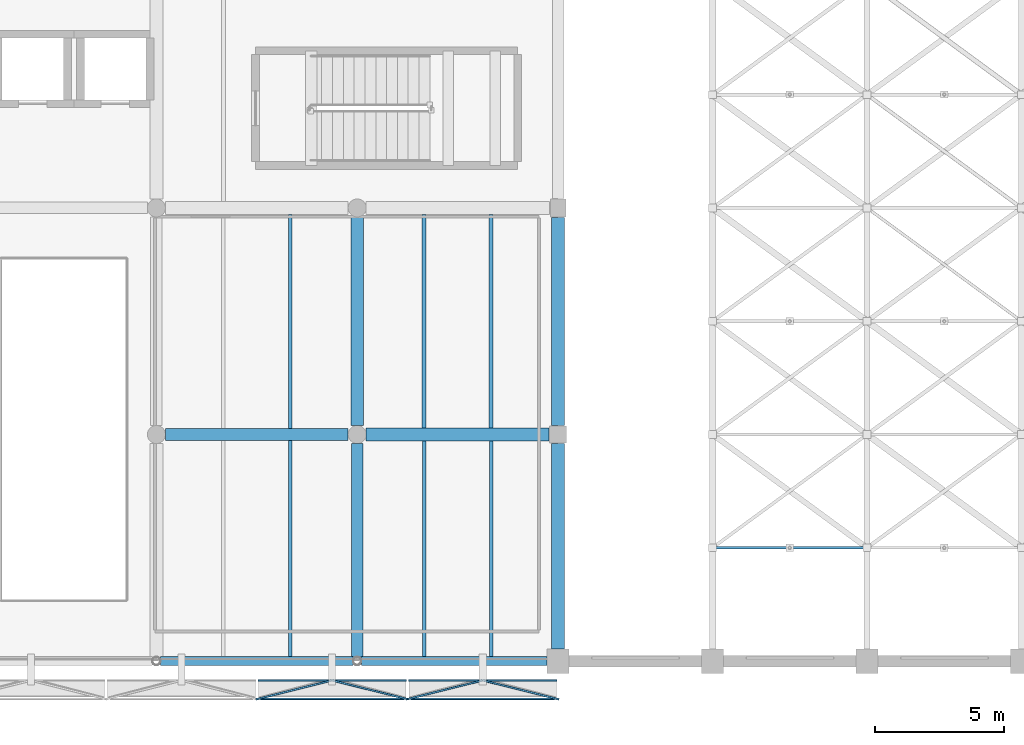
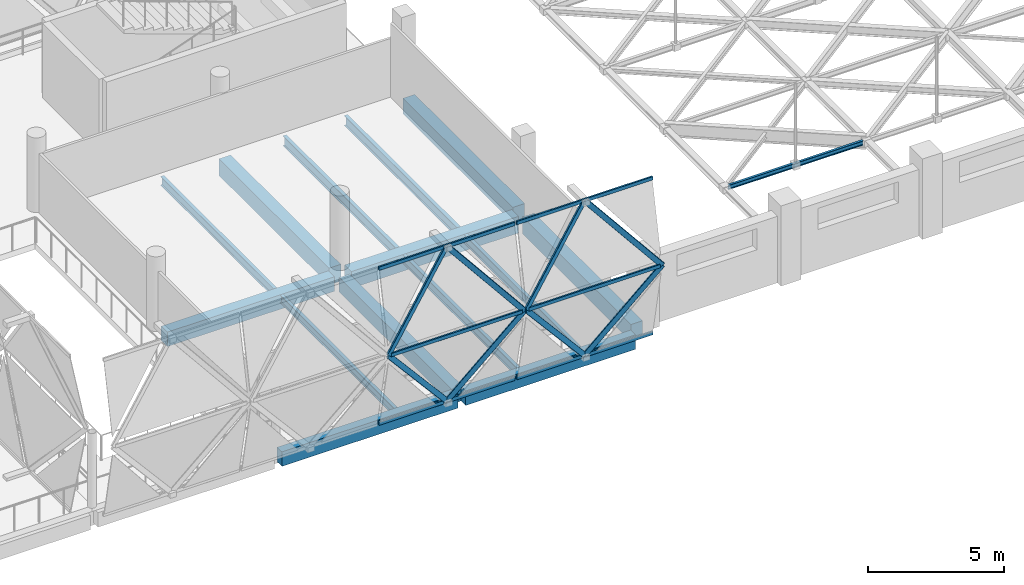
# One storey, part 22 of 93: 15 beams, 14 members, 2 elements without a shape of their own.
"""IFC4 building model written with IfcOpenShell, lengths in metres."""

from ifc_helpers import new_model, si_unit, direction, frame, origin, origin_2d, place, context, subcontext, project, spatial, rectangle, hollow_rectangle, i_section, extrude, material, material_profile, profile_set, type_object, element, aggregate, save


model = new_model("IFC4")

# Units and contexts
model_context = context("Model", 3, precision=1e-05, world=origin(), true_north=direction((0.0, 1.0)))
body_context = subcontext(model_context, "Body", "Model", "MODEL_VIEW")
ifc_project = project(units=[si_unit("LENGTHUNIT", "METRE"), si_unit("AREAUNIT", "SQUARE_METRE"), si_unit("VOLUMEUNIT", "CUBIC_METRE"), si_unit("PLANEANGLEUNIT", "RADIAN"), si_unit("MASSUNIT", "GRAM", prefix="KILO")], contexts=[model_context])

# Site, building, storey
site_placement = place(None, origin())
site = spatial("IfcSite", under=ifc_project, at=site_placement, CompositionType="ELEMENT")
building_placement = place(site_placement, origin())
building = spatial("IfcBuilding", under=site, at=building_placement, Name="Varnakota Cinema and Media Centre", CompositionType="ELEMENT")
storey_placement = place(building_placement, frame((0.0, 0.0, 12.0)))
storey = spatial("IfcBuildingStorey", under=building, at=storey_placement, Name="L03", CompositionType="ELEMENT", Elevation=12.0)

# Beams
ifc_material_1 = material(Name="Concrete M35", Category="concrete")
ifc_material_profile_1 = material_profile(ifc_material_1, rectangle(XDim=0.449951171875, YDim=0.64990234375, at=origin_2d()), Name="RCB 450x650")
ifc_profile_set_1 = profile_set([ifc_material_profile_1], Name="Concrete M35")
beam_type_1 = type_object("IfcBeamType", Name="BM-RC-450x650", PredefinedType="BEAM", material=ifc_profile_set_1)
beam_1_placement = place(storey_placement, frame((59.75, 8.800048828125, -0.5849609375), z_axis=(1.0, 0.0, 0.0), x_axis=(0.0, 1.0, 0.0)))
element("IfcBeam", 1, at=beam_1_placement, inside=storey, type_object=beam_type_1, Name="L03 girder H-J/2", PredefinedType="BEAM", context=body_context, shape_type="SweptSolid", body=[
    extrude(rectangle(XDim=0.449951171875, YDim=0.64990234375, at=origin_2d()), origin(), (0.0, 0.0, 1.0), 7.10009765625),
])
beam_2_placement = place(storey_placement, frame((67.199951171875, 0.162109375, -0.5849609375), z_axis=(0.0, 1.0, 0.0), x_axis=(-1.0, 0.0, 0.0)))
element("IfcBeam", 2, at=beam_2_placement, inside=storey, type_object=beam_type_1, Name="L03 girder J/1-2", PredefinedType="BEAM", context=body_context, shape_type="SweptSolid", body=[
    extrude(rectangle(XDim=0.449951171875, YDim=0.64990234375, at=origin_2d()), origin(), (0.0, 0.0, 1.0), 8.287841796875),
])
ifc_material_2 = material(Name="Concrete M35", Category="concrete")
ifc_material_profile_2 = material_profile(ifc_material_2, rectangle(XDim=0.5, YDim=0.699951171875, at=origin_2d()), Name="RCB 500x700")
ifc_profile_set_2 = profile_set([ifc_material_profile_2], Name="Concrete M35")
beam_type_2 = type_object("IfcBeamType", Name="BM-RC-500x700", PredefinedType="BEAM", material=ifc_profile_set_2)
beam_3_placement = place(storey_placement, frame((75.0, 9.14990234375, -0.610107421875), z_axis=(0.0, 1.0, 0.0), x_axis=(-1.0, 0.0, 0.0)))
element("IfcBeam", 3, at=beam_3_placement, inside=storey, type_object=beam_type_2, Name="L03 girder K/2-3", PredefinedType="BEAM", context=body_context, shape_type="SweptSolid", body=[
    extrude(rectangle(XDim=0.5, YDim=0.699951171875, at=origin_2d()), origin(), (0.0, 0.0, 1.0), 8.0751953125),
])
ifc_material_3 = material(Name="Concrete M35", Category="concrete")
ifc_material_profile_3 = material_profile(ifc_material_3, rectangle(XDim=0.5, YDim=0.75, at=origin_2d()), Name="RCB 500x750")
ifc_profile_set_3 = profile_set([ifc_material_profile_3], Name="Concrete M35")
beam_type_3 = type_object("IfcBeamType", Name="BM-RC-500x750", PredefinedType="BEAM", material=ifc_profile_set_3)
beam_4_placement = place(storey_placement, frame((67.550048828125, 8.800048828125, -0.635009765625), z_axis=(1.0, 0.0, 0.0), x_axis=(0.0, 1.0, 0.0)))
element("IfcBeam", 4, at=beam_4_placement, inside=storey, type_object=beam_type_3, Name="L03 girder J-K/2", PredefinedType="BEAM", context=body_context, shape_type="SweptSolid", body=[
    extrude(rectangle(XDim=0.5, YDim=0.75, at=origin_2d()), origin(), (0.0, 0.0, 1.0), 7.099853515625),
])
beam_5_placement = place(storey_placement, frame((67.199951171875, 9.14990234375, -0.635009765625), z_axis=(0.0, 1.0, 0.0), x_axis=(-1.0, 0.0, 0.0)))
element("IfcBeam", 5, at=beam_5_placement, inside=storey, type_object=beam_type_3, Name="L03 girder J/2-3", PredefinedType="BEAM", context=body_context, shape_type="SweptSolid", body=[
    extrude(rectangle(XDim=0.5, YDim=0.75, at=origin_2d()), origin(), (0.0, 0.0, 1.0), 8.10009765625),
])
beam_6_placement = place(storey_placement, frame((75.0, 0.47509765625, -0.635009765625), z_axis=(0.0, 1.0, 0.0), x_axis=(-1.0, 0.0, 0.0)))
element("IfcBeam", 6, at=beam_6_placement, inside=storey, type_object=beam_type_3, Name="L03 girder K/1-2", PredefinedType="BEAM", context=body_context, shape_type="SweptSolid", body=[
    extrude(rectangle(XDim=0.5, YDim=0.75, at=origin_2d()), origin(), (0.0, 0.0, 1.0), 7.974853515625),
])
ifc_material_4 = material(Name="Concrete M40", Category="concrete")
ifc_material_profile_4 = material_profile(ifc_material_4, rectangle(XDim=0.35009765625, YDim=0.64990234375, at=origin_2d()), Name="RCB 350x650")
ifc_profile_set_4 = profile_set([ifc_material_profile_4], Name="Concrete M40")
beam_type_4 = type_object("IfcBeamType", Name="BM-SP-350x650", PredefinedType="SPANDREL", material=ifc_profile_set_4)
beam_7_placement = place(storey_placement, frame((59.56201171875, 0.0, -0.5849609375), z_axis=(1.0, 0.0, 0.0), x_axis=(0.0, 1.0, 0.0)))
element("IfcBeam", 7, at=beam_7_placement, inside=storey, type_object=beam_type_4, Name="L03 girder H-J/1", PredefinedType="SPANDREL", context=body_context, shape_type="SweptSolid", body=[
    extrude(rectangle(XDim=0.35009765625, YDim=0.64990234375, at=origin_2d()), origin(), (0.0, 0.0, 1.0), 7.47607421875),
])
beam_8_placement = place(storey_placement, frame((67.362060546875, 0.0, -0.5849609375), z_axis=(1.0, 0.0, 0.0), x_axis=(0.0, 1.0, 0.0)))
element("IfcBeam", 8, at=beam_8_placement, inside=storey, type_object=beam_type_4, Name="L03 girder J-K/1", PredefinedType="SPANDREL", context=body_context, shape_type="SweptSolid", body=[
    extrude(rectangle(XDim=0.35009765625, YDim=0.64990234375, at=origin_2d()), origin(), (0.0, 0.0, 1.0), 7.212890625),
])
ifc_material_5 = material(Name="Structural steel Grade 350 (E350)", Category="steel")
ifc_material_profile_5 = material_profile(ifc_material_5, i_section(OverallWidth=0.10009765625, OverallDepth=0.199951171875, WebThickness=0.005615234375, FlangeThickness=0.0107421875, FilletRadius=0.010986328125, at=origin_2d()), Name="ISMB 200")
ifc_profile_set_5 = profile_set([ifc_material_profile_5], Name="Structural steel Grade 350 (E350)")
beam_type_5 = type_object("IfcBeamType", Name="BM-ST-ISMB200", PredefinedType="JOIST", material=ifc_profile_set_5)
beam_9_placement = place(storey_placement, frame((81.139892578125, 4.39990234375, 1.300048828125), z_axis=(1.0, 0.0, 0.0), x_axis=(0.0, 1.0, 0.0)))
element("IfcBeam", 9, at=beam_9_placement, inside=storey, type_object=beam_type_5, Name="V1 rigging beam 2.1", PredefinedType="JOIST", context=body_context, shape_type="SweptSolid", body=[
    extrude(i_section(OverallWidth=0.10009765625, OverallDepth=0.199951171875, WebThickness=0.005615234375, FlangeThickness=0.0107421875, FilletRadius=0.010986328125, at=origin_2d()), origin(), (0.0, 0.0, 1.0), 5.72021484375),
])
ifc_material_6 = material(Name="Structural steel Grade 350 (E350)", Category="steel")
ifc_material_profile_6 = material_profile(ifc_material_6, i_section(OverallWidth=0.139892578125, OverallDepth=0.35009765625, WebThickness=0.008056640625, FlangeThickness=0.01416015625, FilletRadius=0.013916015625, at=origin_2d()), Name="ISMB 350")
ifc_profile_set_6 = profile_set([ifc_material_profile_6], Name="Structural steel Grade 350 (E350)")
beam_type_6 = type_object("IfcBeamType", Name="BM-ST-ISMB350", PredefinedType="JOIST", material=ifc_profile_set_6)
beam_10_placement = place(storey_placement, frame((64.60009765625, 0.175048828125, -0.43505859375), z_axis=(0.0, 1.0, 0.0), x_axis=(-1.0, 0.0, 0.0)))
element("IfcBeam", 10, at=beam_10_placement, inside=storey, type_object=beam_type_6, Name="L03 steel joist H-J/1-2 #2", PredefinedType="JOIST", context=body_context, shape_type="SweptSolid", body=[
    extrude(i_section(OverallWidth=0.139892578125, OverallDepth=0.35009765625, WebThickness=0.008056640625, FlangeThickness=0.01416015625, FilletRadius=0.013916015625, at=origin_2d()), origin(), (0.0, 0.0, 1.0), 8.39990234375),
])
ifc_material_7 = material(Name="Structural steel Grade 350 (E350)", Category="steel")
ifc_material_profile_7 = material_profile(ifc_material_7, i_section(OverallWidth=0.139892578125, OverallDepth=0.39990234375, WebThickness=0.0087890625, FlangeThickness=0.01611328125, FilletRadius=0.013916015625, at=origin_2d()), Name="ISMB 400")
ifc_profile_set_7 = profile_set([ifc_material_profile_7], Name="Structural steel Grade 350 (E350)")
beam_type_7 = type_object("IfcBeamType", Name="BM-ST-ISMB400", PredefinedType="JOIST", material=ifc_profile_set_7)
beam_11_placement = place(storey_placement, frame((64.60009765625, 9.02490234375, -0.4599609375), z_axis=(0.0, 1.0, 0.0), x_axis=(-1.0, 0.0, 0.0)))
element("IfcBeam", 11, at=beam_11_placement, inside=storey, type_object=beam_type_7, Name="L03 steel joist H-J/2-3 #2", PredefinedType="JOIST", context=body_context, shape_type="SweptSolid", body=[
    extrude(i_section(OverallWidth=0.139892578125, OverallDepth=0.39990234375, WebThickness=0.0087890625, FlangeThickness=0.01611328125, FilletRadius=0.013916015625, at=origin_2d()), origin(), (0.0, 0.0, 1.0), 8.3251953125),
])
for number, where, z_axis, x_axis, name in (
    (12, (69.800048828125, 0.175048828125, -0.4599609375), (0.0, 1.0, 0.0), (-1.0, 0.0, 0.0), "L03 steel joist J-K/1-2 #1"),
    (13, (72.39990234375, 0.175048828125, -0.4599609375), (0.0, 1.0, 0.0), (-1.0, 0.0, 0.0), "L03 steel joist J-K/1-2 #2"),
):
    element("IfcBeam", number, at=place(storey_placement, frame(where, z_axis=z_axis, x_axis=x_axis)), inside=storey, type_object=beam_type_7, Name=name, PredefinedType="JOIST", context=body_context, shape_type="SweptSolid", body=[
        extrude(i_section(OverallWidth=0.139892578125, OverallDepth=0.39990234375, WebThickness=0.0087890625, FlangeThickness=0.01611328125, FilletRadius=0.013916015625, at=origin_2d()), origin(), (0.0, 0.0, 1.0), 8.375),
    ])
ifc_material_8 = material(Name="Structural steel Grade 350 (E350)", Category="steel")
ifc_material_profile_8 = material_profile(ifc_material_8, i_section(OverallWidth=0.14990234375, OverallDepth=0.449951171875, WebThickness=0.009521484375, FlangeThickness=0.017333984375, FilletRadius=0.014892578125, at=origin_2d()), Name="ISMB 450")
ifc_profile_set_8 = profile_set([ifc_material_profile_8], Name="Structural steel Grade 350 (E350)")
beam_type_8 = type_object("IfcBeamType", Name="BM-ST-ISMB450", PredefinedType="BEAM", material=ifc_profile_set_8)
for number, where, z_axis, x_axis, name in (
    (14, (69.800048828125, 9.050048828125, -0.485107421875), (0.0, 1.0, 0.0), (-1.0, 0.0, 0.0), "L03 steel joist J-K/2-3 #1"),
    (15, (72.39990234375, 9.050048828125, -0.485107421875), (0.0, 1.0, 0.0), (-1.0, 0.0, 0.0), "L03 steel joist J-K/2-3 #2"),
):
    element("IfcBeam", number, at=place(storey_placement, frame(where, z_axis=z_axis, x_axis=x_axis)), inside=storey, type_object=beam_type_8, Name=name, PredefinedType="BEAM", context=body_context, shape_type="SweptSolid", body=[
        extrude(i_section(OverallWidth=0.14990234375, OverallDepth=0.449951171875, WebThickness=0.009521484375, FlangeThickness=0.017333984375, FilletRadius=0.014892578125, at=origin_2d()), origin(), (0.0, 0.0, 1.0), 8.300048828125),
    ])

# Curtain wall, members
ifc_material_9 = material(Name="Anodised golden-bronze aluminium AW-6063", Category="aluminium")
curtain_wall_type = type_object("IfcCurtainWallType", Name="CW-DMD-585x705", PredefinedType="USERDEFINED", material=ifc_material_9)
curtain_wall_1_placement = place(storey_placement, origin())
curtain_wall_1 = element("IfcCurtainWall", 16, at=curtain_wall_1_placement, inside=storey, type_object=curtain_wall_type, Name="L03 folded diamond foyer curtain wall CW-V6DMD-S-T2-D01", ObjectType="DIAMOND FOLDED CURTAIN WALL", PredefinedType="USERDEFINED")
ifc_material_10 = material(Name="Anodised golden-bronze aluminium AW-6063", Category="aluminium")
ifc_material_profile_9 = material_profile(ifc_material_10, hollow_rectangle(XDim=0.074951171875, YDim=0.219970703125, WallThickness=0.0048828125, InnerFilletRadius=0.0048828125, OuterFilletRadius=0.010009765625, at=origin_2d()), Name="AL-MULLION 220x75x5")
ifc_profile_set_9 = profile_set([ifc_material_profile_9], Name="Anodised golden-bronze aluminium AW-6063")
member_type_1 = type_object("IfcMemberType", Name="CWM-GOLD-220", PredefinedType="MULLION", material=ifc_profile_set_9)
member_1_placement = place(storey_placement, frame((72.074951171875, -0.75, 0.050048828125), z_axis=(0.630878157288, -0.156851995101, 0.759861962654), x_axis=(0.241279412338, 0.970455689448, 0.0)))
member_1 = element("IfcMember", 17, at=member_1_placement, type_object=member_type_1, Name="CW-V6DMD-S-T2-D01 folded diamond mullion 1", PredefinedType="MULLION", context=body_context, shape_type="SweptSolid", body=[
    extrude(hollow_rectangle(XDim=0.074951171875, YDim=0.219970703125, WallThickness=0.0048828125, InnerFilletRadius=0.0048828125, OuterFilletRadius=0.010009765625, at=origin_2d()), origin(), (0.0, 0.0, 1.0), 4.572998046875),
])
member_2_placement = place(storey_placement, frame((72.074951171875, -0.75, 0.050048828125), z_axis=(-0.630878157288, -0.156851995101, 0.759861962654), x_axis=(0.241279412338, -0.970455689448, 0.0)))
member_2 = element("IfcMember", 18, at=member_2_placement, type_object=member_type_1, Name="CW-V6DMD-S-T2-D01 folded diamond mullion 2", PredefinedType="MULLION", context=body_context, shape_type="SweptSolid", body=[
    extrude(hollow_rectangle(XDim=0.074951171875, YDim=0.219970703125, WallThickness=0.0048828125, InnerFilletRadius=0.0048828125, OuterFilletRadius=0.010009765625, at=origin_2d()), origin(), (0.0, 0.0, 1.0), 4.572998046875),
])
member_3_placement = place(storey_placement, frame((74.9599609375, -1.46728515625, 3.52490234375), z_axis=(-0.630852565109, 0.156845632249, 0.759884523293), x_axis=(-0.241279412338, -0.970455689448, 0.0)))
member_3 = element("IfcMember", 19, at=member_3_placement, type_object=member_type_1, Name="CW-V6DMD-S-T2-D01 folded diamond mullion 3", PredefinedType="MULLION", context=body_context, shape_type="SweptSolid", body=[
    extrude(hollow_rectangle(XDim=0.074951171875, YDim=0.219970703125, WallThickness=0.0048828125, InnerFilletRadius=0.0048828125, OuterFilletRadius=0.010009765625, at=origin_2d()), origin(), (0.0, 0.0, 1.0), 4.5732421875),
])
member_4_placement = place(storey_placement, frame((69.18994140625, -1.46728515625, 3.52490234375), z_axis=(0.630852565109, 0.156845632249, 0.759884523293), x_axis=(-0.241279412338, 0.970455689448, 0.0)))
member_4 = element("IfcMember", 20, at=member_4_placement, type_object=member_type_1, Name="CW-V6DMD-S-T2-D01 folded diamond mullion 4", PredefinedType="MULLION", context=body_context, shape_type="SweptSolid", body=[
    extrude(hollow_rectangle(XDim=0.074951171875, YDim=0.219970703125, WallThickness=0.0048828125, InnerFilletRadius=0.0048828125, OuterFilletRadius=0.010009765625, at=origin_2d()), origin(), (0.0, 0.0, 1.0), 4.5732421875),
])

curtain_wall_2_placement = place(storey_placement, origin())
curtain_wall_2 = element("IfcCurtainWall", 21, at=curtain_wall_2_placement, inside=storey, type_object=curtain_wall_type, Name="L03 folded diamond foyer curtain wall CW-V6DMD-S-T2-D02", ObjectType="DIAMOND FOLDED CURTAIN WALL", PredefinedType="USERDEFINED")
member_5_placement = place(storey_placement, frame((66.22509765625, -0.75, 0.050048828125), z_axis=(0.630878157288, -0.156851995101, 0.759861962654), x_axis=(0.241279412338, 0.970455689448, 0.0)))
member_5 = element("IfcMember", 22, at=member_5_placement, type_object=member_type_1, Name="CW-V6DMD-S-T2-D02 folded diamond mullion 1", PredefinedType="MULLION", context=body_context, shape_type="SweptSolid", body=[
    extrude(hollow_rectangle(XDim=0.074951171875, YDim=0.219970703125, WallThickness=0.0048828125, InnerFilletRadius=0.0048828125, OuterFilletRadius=0.010009765625, at=origin_2d()), origin(), (0.0, 0.0, 1.0), 4.572998046875),
])
member_6_placement = place(storey_placement, frame((66.22509765625, -0.75, 0.050048828125), z_axis=(-0.630878157288, -0.156851995101, 0.759861962654), x_axis=(0.241279412338, -0.970455689448, 0.0)))
member_6 = element("IfcMember", 23, at=member_6_placement, type_object=member_type_1, Name="CW-V6DMD-S-T2-D02 folded diamond mullion 2", PredefinedType="MULLION", context=body_context, shape_type="SweptSolid", body=[
    extrude(hollow_rectangle(XDim=0.074951171875, YDim=0.219970703125, WallThickness=0.0048828125, InnerFilletRadius=0.0048828125, OuterFilletRadius=0.010009765625, at=origin_2d()), origin(), (0.0, 0.0, 1.0), 4.572998046875),
])
member_7_placement = place(storey_placement, frame((69.110107421875, -1.46728515625, 3.52490234375), z_axis=(-0.630852565109, 0.156845632249, 0.759884523293), x_axis=(-0.241279412338, -0.970455689448, 0.0)))
member_7 = element("IfcMember", 24, at=member_7_placement, type_object=member_type_1, Name="CW-V6DMD-S-T2-D02 folded diamond mullion 3", PredefinedType="MULLION", context=body_context, shape_type="SweptSolid", body=[
    extrude(hollow_rectangle(XDim=0.074951171875, YDim=0.219970703125, WallThickness=0.0048828125, InnerFilletRadius=0.0048828125, OuterFilletRadius=0.010009765625, at=origin_2d()), origin(), (0.0, 0.0, 1.0), 4.5732421875),
])
member_8_placement = place(storey_placement, frame((63.340087890625, -1.46728515625, 3.52490234375), z_axis=(0.630852565109, 0.156845632249, 0.759884523293), x_axis=(-0.241279412338, 0.970455689448, 0.0)))
member_8 = element("IfcMember", 25, at=member_8_placement, type_object=member_type_1, Name="CW-V6DMD-S-T2-D02 folded diamond mullion 4", PredefinedType="MULLION", context=body_context, shape_type="SweptSolid", body=[
    extrude(hollow_rectangle(XDim=0.074951171875, YDim=0.219970703125, WallThickness=0.0048828125, InnerFilletRadius=0.0048828125, OuterFilletRadius=0.010009765625, at=origin_2d()), origin(), (0.0, 0.0, 1.0), 4.5732421875),
])

# Member
ifc_material_11 = material(Name="Anodised golden-bronze aluminium AW-6063", Category="aluminium")
ifc_material_profile_10 = material_profile(ifc_material_11, hollow_rectangle(XDim=0.074951171875, YDim=0.159912109375, WallThickness=0.00390625, InnerFilletRadius=0.00390625, OuterFilletRadius=0.008056640625, at=origin_2d()), Name="AL-TRANSOM 160x75x4")
ifc_profile_set_10 = profile_set([ifc_material_profile_10], Name="Anodised golden-bronze aluminium AW-6063")
member_type_2 = type_object("IfcMemberType", Name="CWT-GOLD-160", PredefinedType="USERDEFINED", material=ifc_profile_set_10)
member_9_placement = place(storey_placement, frame((74.9599609375, -0.75, 0.050048828125), z_axis=(-1.0, 0.0, 0.0), x_axis=(0.0, -1.0, 0.0)))
member_9 = element("IfcMember", 26, at=member_9_placement, type_object=member_type_2, Name="CW-V6DMD-S-T2-D01 folded diamond transom 1", ObjectType="TRANSOM", PredefinedType="USERDEFINED", context=body_context, shape_type="SweptSolid", body=[
    extrude(hollow_rectangle(XDim=0.074951171875, YDim=0.159912109375, WallThickness=0.00390625, InnerFilletRadius=0.00390625, OuterFilletRadius=0.008056640625, at=origin_2d()), origin(), (0.0, 0.0, 1.0), 5.77001953125),
])

member_10_placement = place(storey_placement, frame((74.860107421875, -1.46728515625, 3.52490234375), z_axis=(-1.0, 0.0, 0.0), x_axis=(0.0, -1.0, 0.0)))
member_10 = element("IfcMember", 27, at=member_10_placement, type_object=member_type_2, Name="CW-V6DMD-S-T2-D01 folded diamond transom 2", ObjectType="TRANSOM", PredefinedType="USERDEFINED", context=body_context, shape_type="SweptSolid", body=[
    extrude(hollow_rectangle(XDim=0.074951171875, YDim=0.159912109375, WallThickness=0.00390625, InnerFilletRadius=0.00390625, OuterFilletRadius=0.008056640625, at=origin_2d()), origin(), (0.0, 0.0, 1.0), 5.570068359375),
])

member_11_placement = place(storey_placement, frame((74.9599609375, -0.75, 7.0), z_axis=(-1.0, 0.0, 0.0), x_axis=(0.0, -1.0, 0.0)))
member_11 = element("IfcMember", 28, at=member_11_placement, type_object=member_type_2, Name="CW-V6DMD-S-T2-D01 folded diamond transom 3", ObjectType="TRANSOM", PredefinedType="USERDEFINED", context=body_context, shape_type="SweptSolid", body=[
    extrude(hollow_rectangle(XDim=0.074951171875, YDim=0.159912109375, WallThickness=0.00390625, InnerFilletRadius=0.00390625, OuterFilletRadius=0.008056640625, at=origin_2d()), origin(), (0.0, 0.0, 1.0), 5.77001953125),
])

aggregate(curtain_wall_1, [member_1, member_2, member_3, member_4, member_9, member_10, member_11])

member_12_placement = place(storey_placement, frame((69.110107421875, -0.75, 0.050048828125), z_axis=(-1.0, 0.0, 0.0), x_axis=(0.0, -1.0, 0.0)))
member_12 = element("IfcMember", 29, at=member_12_placement, type_object=member_type_2, Name="CW-V6DMD-S-T2-D02 folded diamond transom 1", ObjectType="TRANSOM", PredefinedType="USERDEFINED", context=body_context, shape_type="SweptSolid", body=[
    extrude(hollow_rectangle(XDim=0.074951171875, YDim=0.159912109375, WallThickness=0.00390625, InnerFilletRadius=0.00390625, OuterFilletRadius=0.008056640625, at=origin_2d()), origin(), (0.0, 0.0, 1.0), 5.77001953125),
])

member_13_placement = place(storey_placement, frame((69.010009765625, -1.46728515625, 3.52490234375), z_axis=(-1.0, 0.0, 0.0), x_axis=(0.0, -1.0, 0.0)))
member_13 = element("IfcMember", 30, at=member_13_placement, type_object=member_type_2, Name="CW-V6DMD-S-T2-D02 folded diamond transom 2", ObjectType="TRANSOM", PredefinedType="USERDEFINED", context=body_context, shape_type="SweptSolid", body=[
    extrude(hollow_rectangle(XDim=0.074951171875, YDim=0.159912109375, WallThickness=0.00390625, InnerFilletRadius=0.00390625, OuterFilletRadius=0.008056640625, at=origin_2d()), origin(), (0.0, 0.0, 1.0), 5.570068359375),
])

member_14_placement = place(storey_placement, frame((69.110107421875, -0.75, 7.0), z_axis=(-1.0, 0.0, 0.0), x_axis=(0.0, -1.0, 0.0)))
member_14 = element("IfcMember", 31, at=member_14_placement, type_object=member_type_2, Name="CW-V6DMD-S-T2-D02 folded diamond transom 3", ObjectType="TRANSOM", PredefinedType="USERDEFINED", context=body_context, shape_type="SweptSolid", body=[
    extrude(hollow_rectangle(XDim=0.074951171875, YDim=0.159912109375, WallThickness=0.00390625, InnerFilletRadius=0.00390625, OuterFilletRadius=0.008056640625, at=origin_2d()), origin(), (0.0, 0.0, 1.0), 5.77001953125),
])

aggregate(curtain_wall_2, [member_5, member_6, member_7, member_8, member_12, member_13, member_14])

save(model, "model.ifc")
